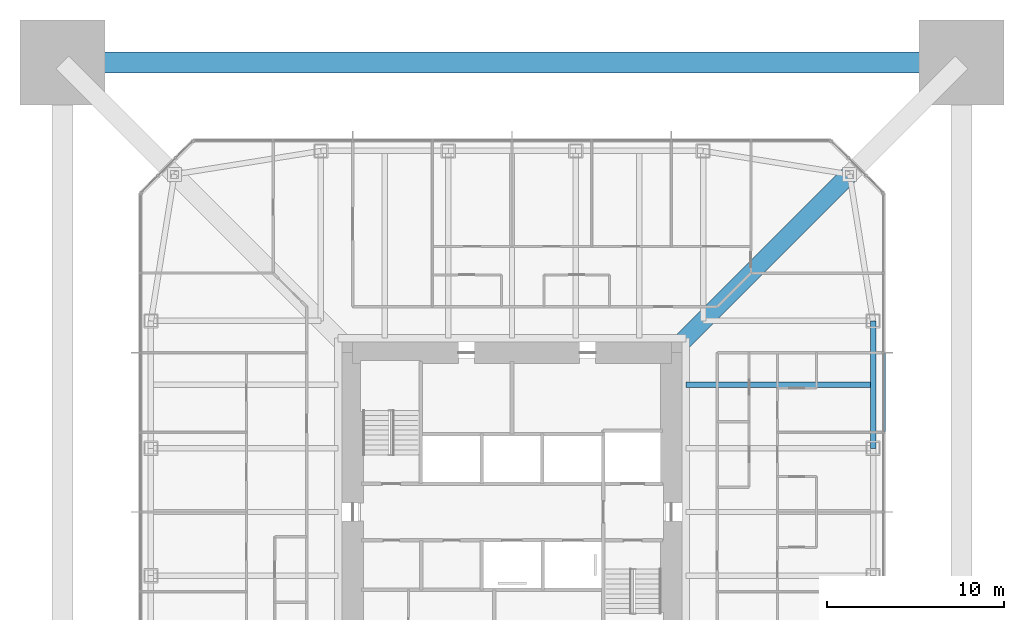
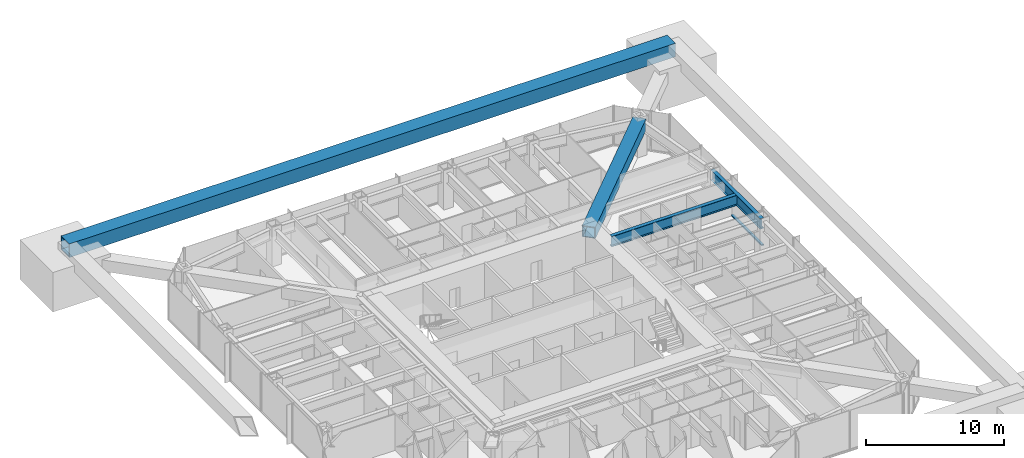
# One storey, part 10 of 20: 3 members, 2 beams, 1 element without a shape of its own.
"""IFC4 building model written with IfcOpenShell, lengths in metres."""

from ifc_helpers import new_model, si_unit, direction, frame, origin, origin_2d, place, context, subcontext, project, spatial, rectangle, hollow_rectangle, i_section, extrude, material, material_profile, profile_set, type_object, element, aggregate, save


model = new_model("IFC4")

# Units and contexts
model_context = context("Model", 3, precision=1e-05, world=origin(), true_north=direction((0.0, 1.0)))
body_context = subcontext(model_context, "Body", "Model", "MODEL_VIEW")
ifc_project = project(units=[si_unit("LENGTHUNIT", "METRE"), si_unit("AREAUNIT", "SQUARE_METRE"), si_unit("VOLUMEUNIT", "CUBIC_METRE"), si_unit("PLANEANGLEUNIT", "RADIAN"), si_unit("MASSUNIT", "GRAM", prefix="KILO")], contexts=[model_context])

# Site, building, storey
site_placement = place(None, origin())
site = spatial("IfcSite", under=ifc_project, at=site_placement, CompositionType="ELEMENT")
building_placement = place(site_placement, origin())
building = spatial("IfcBuilding", under=site, at=building_placement, Name="Iwan Alto Co-Living Towers", CompositionType="ELEMENT")
storey_placement = place(building_placement, frame((0.0, 0.0, 140.0)))
storey = spatial("IfcBuildingStorey", under=building, at=storey_placement, Name="L38", CompositionType="ELEMENT", Elevation=140.0)

# Curtain wall, member
ifc_material_1 = material(Name="Bronze aluminium unitised frame", Category="aluminium")
curtain_wall_type = type_object("IfcCurtainWallType", Name="CURTAIN WALL CW-A", PredefinedType="NOTDEFINED", material=ifc_material_1)
curtain_wall_placement = place(storey_placement, origin())
curtain_wall = element("IfcCurtainWall", 1, at=curtain_wall_placement, inside=storey, type_object=curtain_wall_type, Name="T1 curtain wall E L38", PredefinedType="NOTDEFINED")
ifc_material_2 = material(Name="Aluminium 6063-T6 bronze anodised", Category="aluminium")
ifc_material_profile_1 = material_profile(ifc_material_2, rectangle(XDim=0.199951171875, YDim=0.10009765625, at=origin_2d()), Name="AL 200X100")
ifc_profile_set_1 = profile_set([ifc_material_profile_1], Name="Aluminium 6063-T6 bronze anodised")
member_type_1 = type_object("IfcMemberType", Name="CW-A TRANSOM 200X100", PredefinedType="USERDEFINED", material=ifc_profile_set_1)
member_1_placement = place(storey_placement, frame((21.0, 4.5400390625, 0.050048828125), z_axis=(0.0, 1.0, 0.0), x_axis=(-1.0, 0.0, 0.0)))
member_1 = element("IfcMember", 2, at=member_1_placement, type_object=member_type_1, Name="CW-A transom 6.1", ObjectType="TRANSOM", PredefinedType="USERDEFINED", context=body_context, shape_type="SweptSolid", body=[
    extrude(rectangle(XDim=0.199951171875, YDim=0.10009765625, at=origin_2d()), origin(), (0.0, 0.0, 1.0), 4.419921875),
])
aggregate(curtain_wall, [member_1])

# Beam
ifc_material_3 = material(Name="Steel ASTM A992 Gr 50", Category="steel")
ifc_material_profile_2 = material_profile(ifc_material_3, i_section(OverallWidth=0.307373046875, OverallDepth=0.927001953125, WebThickness=0.01953125, FlangeThickness=0.031982421875, at=origin_2d()), Name="W36X194")
ifc_profile_set_2 = profile_set([ifc_material_profile_2], Name="Steel ASTM A992 Gr 50")
beam_type_1 = type_object("IfcBeamType", Name="T1 BELT TRUSS CHORD W36X194", PredefinedType="BEAM", material=ifc_profile_set_2)
beam_1_placement = place(storey_placement, frame((20.39990234375, 3.60009765625, 2.736328125), z_axis=(0.0, 1.0, 0.0), x_axis=(-1.0, 0.0, 0.0)))
element("IfcBeam", 3, at=beam_1_placement, inside=storey, type_object=beam_type_1, Name="T1 edge beam E3 L39", PredefinedType="BEAM", context=body_context, shape_type="SweptSolid", body=[
    extrude(i_section(OverallWidth=0.307373046875, OverallDepth=0.927001953125, WebThickness=0.01953125, FlangeThickness=0.031982421875, at=origin_2d()), origin(), (0.0, 0.0, 1.0), 7.199951171875),
])

# Members
ifc_material_4 = material(Name="Steel ASTM A572 Gr 50", Category="steel")
ifc_material_profile_3 = material_profile(ifc_material_4, hollow_rectangle(XDim=1.199951171875, YDim=1.199951171875, WallThickness=0.070068359375, at=origin_2d()), Name="BOX 1200X1200X70")
ifc_profile_set_3 = profile_set([ifc_material_profile_3], Name="Steel ASTM A572 Gr 50")
member_type_2 = type_object("IfcMemberType", Name="T1 MEGA BELT TIE BOX 1200X1200X70", PredefinedType="STRUT", material=ifc_profile_set_3)
member_2_placement = place(storey_placement, frame((25.39990234375, 25.39990234375, 3.5), z_axis=(-1.0, 0.0, 0.0), x_axis=(0.0, -1.0, 0.0)))
element("IfcMember", 4, at=member_2_placement, inside=storey, type_object=member_type_2, Name="T1 mega belt tie N L39", PredefinedType="STRUT", context=body_context, shape_type="SweptSolid", body=[
    extrude(hollow_rectangle(XDim=1.199951171875, YDim=1.199951171875, WallThickness=0.070068359375, at=origin_2d()), origin(), (0.0, 0.0, 1.0), 50.7998046875),
])
ifc_material_5 = material(Name="Steel ASTM A572 Gr 50", Category="steel")
ifc_material_profile_4 = material_profile(ifc_material_5, hollow_rectangle(XDim=1.0, YDim=1.0, WallThickness=0.070068359375, at=origin_2d()), Name="BOX 1000X1000X70")
ifc_profile_set_4 = profile_set([ifc_material_profile_4], Name="Steel ASTM A572 Gr 50")
member_type_3 = type_object("IfcMemberType", Name="T1 OUTRIGGER CHORD BOX 1000X1000X70", PredefinedType="CHORD", material=ifc_profile_set_4)
member_3_placement = place(storey_placement, frame((9.0, 9.0, 2.699951171875), z_axis=(0.707106781187, 0.707106781187, 0.0), x_axis=(-0.707106781187, 0.707106781187, 0.0)))
element("IfcMember", 5, at=member_3_placement, inside=storey, type_object=member_type_3, Name="T1 outrigger NE L39 bottom chord 1", PredefinedType="CHORD", context=body_context, shape_type="SweptSolid", body=[
    extrude(hollow_rectangle(XDim=1.0, YDim=1.0, WallThickness=0.070068359375, at=origin_2d()), origin(), (0.0, 0.0, 1.0), 14.249267578125),
])

# Beam
ifc_material_6 = material(Name="Steel ASTM A992 Gr 50", Category="steel")
ifc_material_profile_5 = material_profile(ifc_material_6, i_section(OverallWidth=0.307373046875, OverallDepth=0.927001953125, WebThickness=0.01953125, FlangeThickness=0.031982421875, at=origin_2d()), Name="W36X194")
ifc_profile_set_5 = profile_set([ifc_material_profile_5], Name="Steel ASTM A992 Gr 50")
beam_type_2 = type_object("IfcBeamType", Name="T1 SECONDARY BEAM W36X194", PredefinedType="JOIST", material=ifc_profile_set_5)
beam_2_placement = place(storey_placement, frame((20.39990234375, 7.199951171875, 2.736328125), z_axis=(-1.0, 0.0, 0.0), x_axis=(0.0, -1.0, 0.0)))
element("IfcBeam", 6, at=beam_2_placement, inside=storey, type_object=beam_type_2, Name="T1 secondary beam E3 L39", PredefinedType="JOIST", context=body_context, shape_type="SweptSolid", body=[
    extrude(i_section(OverallWidth=0.307373046875, OverallDepth=0.927001953125, WebThickness=0.01953125, FlangeThickness=0.031982421875, at=origin_2d()), origin(), (0.0, 0.0, 1.0), 10.58154296875),
])

save(model, "model.ifc")
